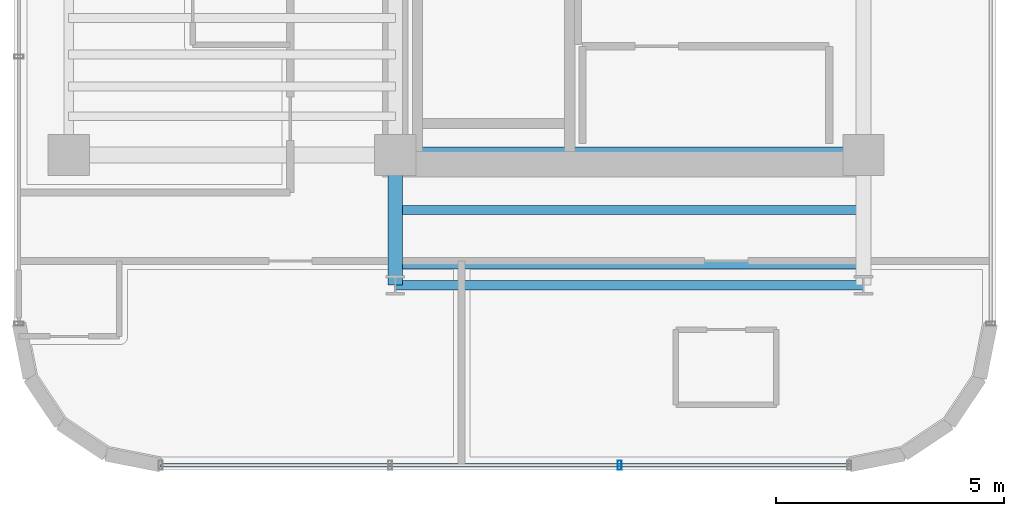
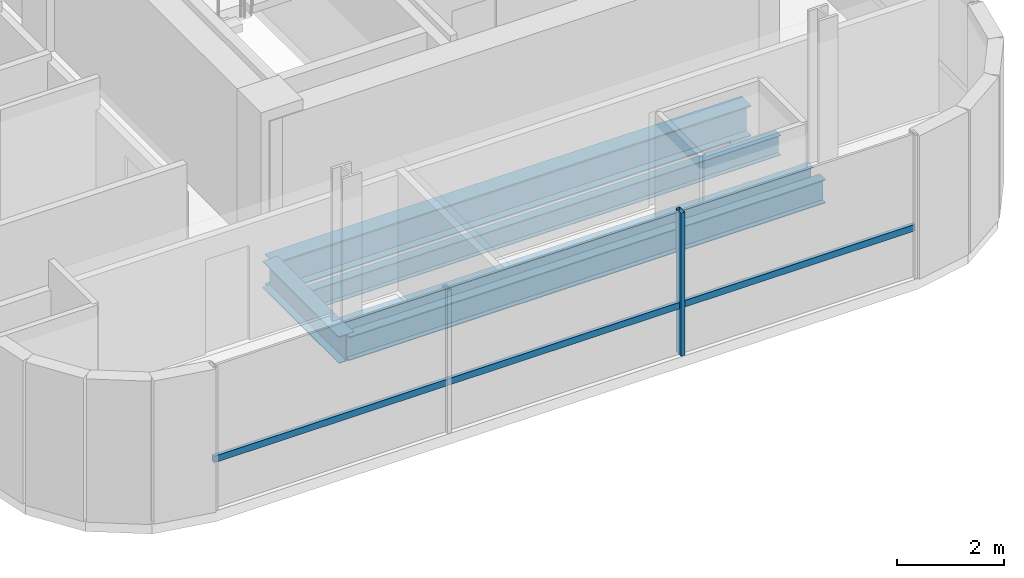
# One storey, part 3 of 22: 5 beams, 2 members, 1 element without a shape of its own.
"""IFC4 building model written with IfcOpenShell, lengths in metres."""

from ifc_helpers import new_model, si_unit, direction, frame, origin, origin_2d, place, context, subcontext, project, spatial, hollow_rectangle, i_section, extrude, source, transform, mapped, material, material_profile, profile_set, type_object, element, aggregate, save


model = new_model("IFC4")

# Units and contexts
model_context = context("Model", 3, precision=1e-05, world=origin(), true_north=direction((0.0, 1.0)))
body_context = subcontext(model_context, "Body", "Model", "MODEL_VIEW")
ifc_project = project(units=[si_unit("LENGTHUNIT", "METRE"), si_unit("AREAUNIT", "SQUARE_METRE"), si_unit("VOLUMEUNIT", "CUBIC_METRE"), si_unit("PLANEANGLEUNIT", "RADIAN"), si_unit("MASSUNIT", "GRAM", prefix="KILO")], contexts=[model_context])

# Site, building, storey
site_placement = place(None, origin())
site = spatial("IfcSite", under=ifc_project, at=site_placement, CompositionType="ELEMENT")
building_placement = place(site_placement, origin())
building = spatial("IfcBuilding", under=site, at=building_placement, Name="Valdorenza Pilgrim Sanctuary Tower", CompositionType="ELEMENT")
storey_placement = place(building_placement, frame((0.0, 0.0, 212.5)))
storey = spatial("IfcBuildingStorey", under=building, at=storey_placement, Name="L54", CompositionType="ELEMENT", Elevation=212.5)

# Beams
ifc_material_1 = material(Name="Steel ASTM A992 Grade 50", Category="steel")
ifc_material_profile_1 = material_profile(ifc_material_1, i_section(OverallWidth=0.323974609375, OverallDepth=0.611083984375, WebThickness=0.0126953125, FlangeThickness=0.01904296875, at=origin_2d()), Name="W24X104")
ifc_profile_set_1 = profile_set([ifc_material_profile_1], Name="Steel ASTM A992 Grade 50")
beam_type_1 = type_object("IfcBeamType", Name="STR-BM-GRD-W24B", PredefinedType="BEAM", material=ifc_profile_set_1)
shared_shape_1 = source(origin(), body_context, "Body", "SweptSolid", [
    extrude(i_section(OverallWidth=0.323974609375, OverallDepth=0.611083984375, WebThickness=0.0126953125, FlangeThickness=0.01904296875, at=origin_2d()), origin(), (0.0, 0.0, 1.0), 2.849853515625),
])
beam_1_placement = place(storey_placement, frame((-22.64990234375, -13.449951171875, -0.54541015625), z_axis=(0.0, 1.0, 0.0), x_axis=(-1.0, 0.0, 0.0)))
element("IfcBeam", 1, at=beam_1_placement, inside=storey, type_object=beam_type_1, Name="L54 Floor Girder WA-S-LW", PredefinedType="BEAM", context=body_context, shape_type="MappedRepresentation", body=[
    mapped(shared_shape_1, transform((0.0, 0.0, 0.0), x_axis=(1.0, 0.0, 0.0), y_axis=(0.0, 1.0, 0.0), z_axis=(0.0, 0.0, 1.0), scale=1.0)),
])
ifc_material_profile_2 = material_profile(ifc_material_1, i_section(OverallWidth=0.19091796875, OverallDepth=0.45703125, WebThickness=0.009033203125, FlangeThickness=0.014404296875, at=origin_2d()), Name="W18X50")
ifc_profile_set_2 = profile_set([ifc_material_profile_2], Name="Steel ASTM A992 Grade 50")
beam_type_2 = type_object("IfcBeamType", Name="STR-BM-JST-W18B", PredefinedType="JOIST", material=ifc_profile_set_2)
shared_shape_2 = source(origin(), body_context, "Body", "SweptSolid", [
    extrude(i_section(OverallWidth=0.19091796875, OverallDepth=0.45703125, WebThickness=0.009033203125, FlangeThickness=0.014404296875, at=origin_2d()), origin(), (0.0, 0.0, 1.0), 10.25),
])
for number, where, z_axis, x_axis, name in (
    (2, (-22.64990234375, -13.0, -0.468505859375), (1.0, 0.0, 0.0), (0.0, 1.0, 0.0), "L54 Composite Floor Joist JST-WAS-1"),
    (3, (-22.64990234375, -11.800048828125, -0.468505859375), (1.0, 0.0, 0.0), (0.0, 1.0, 0.0), "L54 Composite Floor Joist JST-WAS-2"),
):
    element("IfcBeam", number, at=place(storey_placement, frame(where, z_axis=z_axis, x_axis=x_axis)), inside=storey, type_object=beam_type_2, Name=name, PredefinedType="JOIST", context=body_context, shape_type="MappedRepresentation", body=[
        mapped(shared_shape_2, transform((0.0, 0.0, 0.0), x_axis=(1.0, 0.0, 0.0), y_axis=(0.0, 1.0, 0.0), z_axis=(0.0, 0.0, 1.0), scale=1.0)),
    ])
ifc_material_profile_3 = material_profile(ifc_material_1, i_section(OverallWidth=0.2109375, OverallDepth=0.5390625, WebThickness=0.01171875, FlangeThickness=0.018798828125, at=origin_2d()), Name="W21X73")
ifc_profile_set_3 = profile_set([ifc_material_profile_3], Name="Steel ASTM A992 Grade 50")
beam_type_3 = type_object("IfcBeamType", Name="STR-BM-SPN-W21B", PredefinedType="SPANDREL", material=ifc_profile_set_3)
shared_shape_3 = source(origin(), body_context, "Body", "SweptSolid", [
    extrude(i_section(OverallWidth=0.2109375, OverallDepth=0.5390625, WebThickness=0.01171875, FlangeThickness=0.018798828125, at=origin_2d()), origin(), (0.0, 0.0, 1.0), 10.25),
])
beam_2_placement = place(storey_placement, frame((-22.64990234375, -13.449951171875, -0.509521484375), z_axis=(1.0, 0.0, 0.0), x_axis=(0.0, 1.0, 0.0)))
element("IfcBeam", 4, at=beam_2_placement, inside=storey, type_object=beam_type_3, Name="L54 South Spandrel WA-S-TIE", PredefinedType="SPANDREL", context=body_context, shape_type="MappedRepresentation", body=[
    mapped(shared_shape_3, transform((0.0, 0.0, 0.0), x_axis=(1.0, 0.0, 0.0), y_axis=(0.0, 1.0, 0.0), z_axis=(0.0, 0.0, 1.0), scale=1.0)),
])
ifc_material_profile_4 = material_profile(ifc_material_1, i_section(OverallWidth=0.35595703125, OverallDepth=0.700927734375, WebThickness=0.016845703125, FlangeThickness=0.02734375, at=origin_2d()), Name="W27X161")
ifc_profile_set_4 = profile_set([ifc_material_profile_4], Name="Steel ASTM A992 Grade 50")
beam_type_4 = type_object("IfcBeamType", Name="STR-BM-GRD-W27", PredefinedType="BEAM", material=ifc_profile_set_4)
shared_shape_4 = source(origin(), body_context, "Body", "SweptSolid", [
    extrude(i_section(OverallWidth=0.35595703125, OverallDepth=0.700927734375, WebThickness=0.016845703125, FlangeThickness=0.02734375, at=origin_2d()), origin(), (0.0, 0.0, 1.0), 10.25),
])
beam_3_placement = place(storey_placement, frame((-22.64990234375, -10.60009765625, -0.590576171875), z_axis=(1.0, 0.0, 0.0), x_axis=(0.0, 1.0, 0.0)))
element("IfcBeam", 5, at=beam_3_placement, inside=storey, type_object=beam_type_4, Name="L54 Floor Girder CA-XC-S1", PredefinedType="BEAM", context=body_context, shape_type="MappedRepresentation", body=[
    mapped(shared_shape_4, transform((0.0, 0.0, 0.0), x_axis=(1.0, 0.0, 0.0), y_axis=(0.0, 1.0, 0.0), z_axis=(0.0, 0.0, 1.0), scale=1.0)),
])

# Curtain wall, members
ifc_material_2 = material(Name="Curtain-wall IGU glazing", Category="glass")
curtain_wall_type = type_object("IfcCurtainWallType", Name="CW-SYS-02", PredefinedType="NOTDEFINED", material=ifc_material_2)
curtain_wall_placement = place(storey_placement, origin())
curtain_wall = element("IfcCurtainWall", 6, at=curtain_wall_placement, inside=storey, type_object=curtain_wall_type, Name="L54 Curtain Wall CW-L54-1-26", PredefinedType="NOTDEFINED")
ifc_material_3 = material(Name="Anodised aluminium AW-6060", Category="aluminium")
ifc_material_profile_5 = material_profile(ifc_material_3, hollow_rectangle(XDim=0.074951171875, YDim=0.14990234375, WallThickness=0.00390625, at=origin_2d()), Name="ALU-T 150x75x4")
ifc_profile_set_5 = profile_set([ifc_material_profile_5], Name="Anodised aluminium AW-6060")
member_type_1 = type_object("IfcMemberType", Name="CW-TRN-02", PredefinedType="USERDEFINED", material=ifc_profile_set_5)
shared_shape_5 = source(origin(), body_context, "Body", "SweptSolid", [
    extrude(hollow_rectangle(XDim=0.074951171875, YDim=0.14990234375, WallThickness=0.00390625, at=origin_2d()), origin(), (0.0, 0.0, 1.0), 15.07861328125),
])
member_1_placement = place(storey_placement, frame((-12.710693359375, -17.389892578125, 1.1201171875), z_axis=(-1.0, 0.0, 0.0), x_axis=(0.0, -1.0, 0.0)))
member_1 = element("IfcMember", 7, at=member_1_placement, type_object=member_type_1, Name="CW-L54-1-26 Transom 1", ObjectType="TRANSOM", PredefinedType="USERDEFINED", context=body_context, shape_type="MappedRepresentation", body=[
    mapped(shared_shape_5, transform((0.0, 0.0, 0.0), x_axis=(1.0, 0.0, 0.0), y_axis=(0.0, 1.0, 0.0), z_axis=(0.0, 0.0, 1.0), scale=1.0)),
])
ifc_material_profile_6 = material_profile(ifc_material_3, hollow_rectangle(XDim=0.0849609375, YDim=0.199951171875, WallThickness=0.0048828125, at=origin_2d()), Name="ALU-M 200x85x5")
ifc_profile_set_6 = profile_set([ifc_material_profile_6], Name="Anodised aluminium AW-6060")
member_type_2 = type_object("IfcMemberType", Name="CW-MUL-02", PredefinedType="MULLION", material=ifc_profile_set_6)
shared_shape_6 = source(origin(), body_context, "Body", "SweptSolid", [
    extrude(hollow_rectangle(XDim=0.0849609375, YDim=0.199951171875, WallThickness=0.0048828125, at=origin_2d()), origin(), (0.0, 0.0, 1.0), 3.260009765625),
])
member_2_placement = place(storey_placement, frame((-17.73681640625, -17.389892578125, 0.0), z_axis=(0.0, 0.0, 1.0), x_axis=(-1.0, 0.0, 0.0)))
member_2 = element("IfcMember", 8, at=member_2_placement, type_object=member_type_2, Name="CW-L54-1-26 Mullion 2", PredefinedType="MULLION", context=body_context, shape_type="MappedRepresentation", body=[
    mapped(shared_shape_6, transform((0.0, 0.0, 0.0), x_axis=(1.0, 0.0, 0.0), y_axis=(0.0, 1.0, 0.0), z_axis=(0.0, 0.0, 1.0), scale=1.0)),
])
aggregate(curtain_wall, [member_2, member_1])

save(model, "model.ifc")
